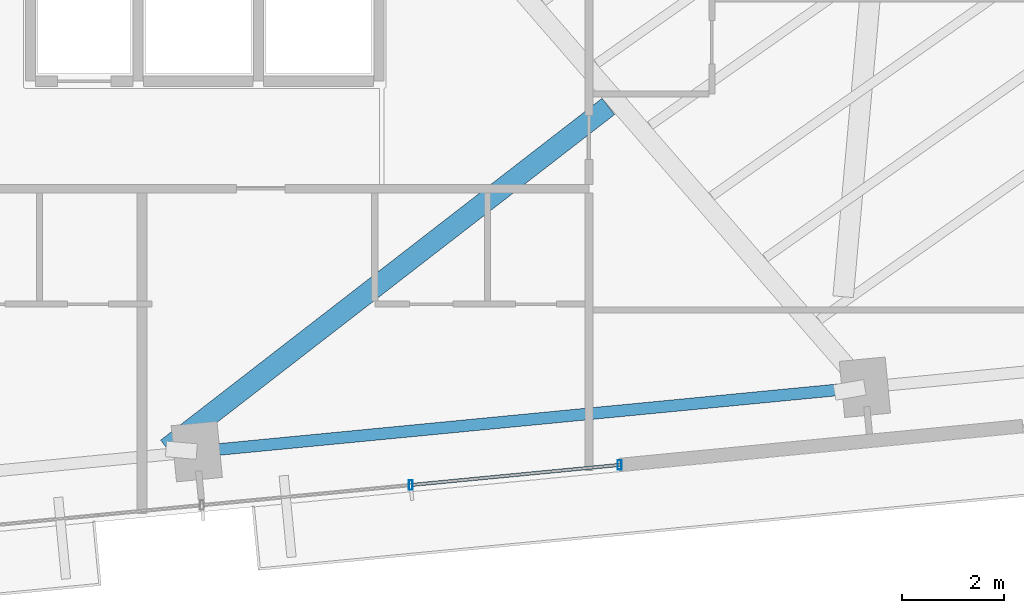
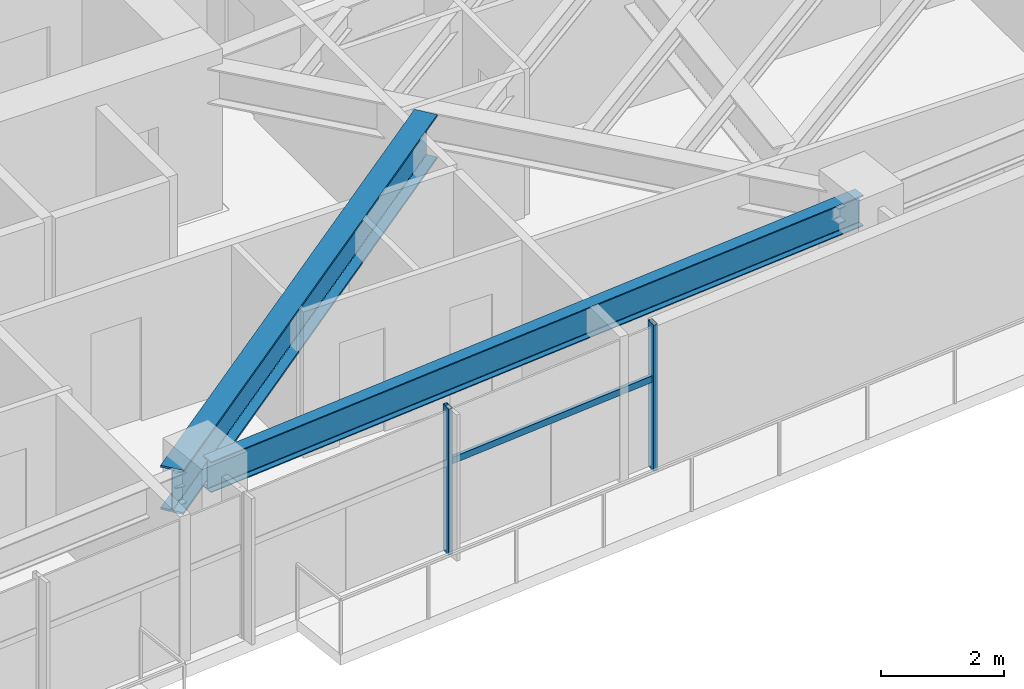
# One storey, part 12 of 27: 3 members, 2 beams, 1 element without a shape of its own.
"""IFC4 building model written with IfcOpenShell, lengths in metres."""

from ifc_helpers import new_model, si_unit, direction, frame, origin, origin_2d, place, context, subcontext, project, spatial, hollow_rectangle, i_section, extrude, source, transform, mapped, material, material_profile, profile_set, type_object, type_shapes, element, aggregate, save


model = new_model("IFC4")

# Units and contexts
model_context = context("Model", 3, precision=1e-05, world=origin(), true_north=direction((0.0, 1.0)))
body_context = subcontext(model_context, "Body", "Model", "MODEL_VIEW")
ifc_project = project(units=[si_unit("LENGTHUNIT", "METRE"), si_unit("AREAUNIT", "SQUARE_METRE"), si_unit("VOLUMEUNIT", "CUBIC_METRE"), si_unit("PLANEANGLEUNIT", "RADIAN"), si_unit("MASSUNIT", "GRAM", prefix="KILO")], contexts=[model_context])

# Site, building, storey
site_placement = place(None, origin())
site = spatial("IfcSite", under=ifc_project, at=site_placement, CompositionType="ELEMENT")
building_placement = place(site_placement, origin())
building = spatial("IfcBuilding", under=site, at=building_placement, Name="Astriad Promenade Condominiums", CompositionType="ELEMENT")
storey_placement = place(building_placement, frame((0.0, 0.0, 116.199951171875)))
storey = spatial("IfcBuildingStorey", under=building, at=storey_placement, Name="L33", CompositionType="ELEMENT", Elevation=116.199951171875)

# Beams
ifc_material_1 = material(Name="Steel ASTM A992 Grade 50", Category="steel")
ifc_material_profile_1 = material_profile(ifc_material_1, i_section(OverallWidth=0.22900390625, OverallDepth=0.612060546875, WebThickness=0.011962890625, FlangeThickness=0.01953125, FilletRadius=0.017822265625, at=origin_2d()), Name="W24X84")
ifc_profile_set_1 = profile_set([ifc_material_profile_1], Name="Steel ASTM A992 Grade 50")
beam_type_1 = type_object("IfcBeamType", Name="STEEL SPANDREL BEAM W24X84", PredefinedType="SPANDREL", material=ifc_profile_set_1)
shared_shape_1 = source(origin(), body_context, "Body", "SweptSolid", [
    extrude(i_section(OverallWidth=0.22900390625, OverallDepth=0.612060546875, WebThickness=0.011962890625, FlangeThickness=0.01953125, FilletRadius=0.017822265625, at=origin_2d()), origin(), (0.0, 0.0, 1.0), 13.02001953125),
])
type_shapes(beam_type_1, [shared_shape_1])
beam_1_placement = place(storey_placement, frame((40.085205078125, 7.5244140625, 2.593994140625), z_axis=(0.995395138946, 0.095856754395, 0.0), x_axis=(-0.095856754395, 0.995395138946, 0.0)))
element("IfcBeam", 1, at=beam_1_placement, inside=storey, type_object=beam_type_1, Name="Perimeter Spandrel Beam SP-S3-L33", PredefinedType="SPANDREL", context=body_context, shape_type="MappedRepresentation", body=[
    mapped(shared_shape_1, transform((0.0, 0.0, 0.0), scale=1.0)),
])
ifc_material_profile_2 = material_profile(ifc_material_1, i_section(OverallWidth=0.4013671875, OverallDepth=0.877197265625, WebThickness=0.022216796875, FlangeThickness=0.039794921875, FilletRadius=0.02294921875, at=origin_2d()), Name="W33X263")
ifc_profile_set_2 = profile_set([ifc_material_profile_2], Name="Steel ASTM A992 Grade 50")
beam_type_2 = type_object("IfcBeamType", Name="STEEL TRANSFER CARRIER GIRDER W33X263", PredefinedType="BEAM", material=ifc_profile_set_2)
shared_shape_2 = source(origin(), body_context, "Body", "SweptSolid", [
    extrude(i_section(OverallWidth=0.4013671875, OverallDepth=0.877197265625, WebThickness=0.022216796875, FlangeThickness=0.039794921875, FilletRadius=0.02294921875, at=origin_2d()), origin(), (0.0, 0.0, 1.0), 10.89697265625),
])
type_shapes(beam_type_2, [shared_shape_2])
beam_2_placement = place(storey_placement, frame((48.077880859375, 14.2568359375, 2.46142578125), z_axis=(-0.790650935133, -0.612267179238, 0.0), x_axis=(0.612267179238, -0.790650935133, 0.0)))
element("IfcBeam", 2, at=beam_2_placement, inside=storey, type_object=beam_type_2, Name="Transfer Splice Carrier TRM-SP-PC03-L33", PredefinedType="BEAM", context=body_context, shape_type="MappedRepresentation", body=[
    mapped(shared_shape_2, transform((0.0, 0.0, 0.0), scale=1.0)),
])

# Curtain wall, members
ifc_material_2 = material(Name="Anodised aluminium Black Dark Glass Unitised", Category="aluminium")
curtain_wall_type = type_object("IfcCurtainWallType", Name="CW-B2-DARK", PredefinedType="USERDEFINED", material=ifc_material_2)
curtain_wall_placement = place(storey_placement, origin())
curtain_wall = element("IfcCurtainWall", 3, at=curtain_wall_placement, inside=storey, type_object=curtain_wall_type, Name="CW-L33-S", ObjectType="UNITISED_CURTAIN_WALL", PredefinedType="USERDEFINED")
ifc_material_3 = material(Name="Anodised aluminium 6063-T6 Black", Category="aluminium")
ifc_material_profile_3 = material_profile(ifc_material_3, hollow_rectangle(XDim=0.06494140625, YDim=0.1298828125, WallThickness=0.00390625, at=origin_2d()), Name="ALU-TRN-65X130")
ifc_profile_set_3 = profile_set([ifc_material_profile_3], Name="Anodised aluminium 6063-T6 Black")
member_type_1 = type_object("IfcMemberType", Name="TRN-ALU-TRN-65X130", PredefinedType="USERDEFINED", material=ifc_profile_set_3)
shared_shape_3 = source(origin(), body_context, "Body", "SweptSolid", [
    extrude(hollow_rectangle(XDim=0.06494140625, YDim=0.1298828125, WallThickness=0.00390625, at=origin_2d()), origin(), (0.0, 0.0, 1.0), 4.094970703125),
])
type_shapes(member_type_1, [shared_shape_3])
member_1_placement = place(storey_placement, frame((48.29833984375, 7.260498046875, 1.798095703125), z_axis=(-0.995394161585, -0.09586690296, 0.0), x_axis=(0.09586690296, -0.995394161585, 0.0)))
member_1 = element("IfcMember", 4, at=member_1_placement, type_object=member_type_1, Name="CW-L33-S-TRN-00-0", ObjectType="TRANSOM", PredefinedType="USERDEFINED", context=body_context, shape_type="MappedRepresentation", body=[
    mapped(shared_shape_3, transform((0.0, 0.0, 0.0), scale=1.0)),
])
ifc_material_profile_4 = material_profile(ifc_material_3, hollow_rectangle(XDim=0.074951171875, YDim=0.18505859375, WallThickness=0.00439453125, at=origin_2d()), Name="ALU-MUL-75X185")
ifc_profile_set_4 = profile_set([ifc_material_profile_4], Name="Anodised aluminium 6063-T6 Black")
member_type_2 = type_object("IfcMemberType", Name="MUL-ALU-MUL-75X185", PredefinedType="MULLION", material=ifc_profile_set_4)
shared_shape_4 = source(origin(), body_context, "Body", "SweptSolid", [
    extrude(hollow_rectangle(XDim=0.074951171875, YDim=0.18505859375, WallThickness=0.00439453125, at=origin_2d()), origin(), (0.0, 0.0, 1.0), 2.900146484375),
])
type_shapes(member_type_2, [shared_shape_4])
member_2_placement = place(storey_placement, frame((48.29833984375, 7.260498046875, 0.0), z_axis=(0.0, 0.0, 1.0), x_axis=(1.0, 0.0, 0.0)))
member_2 = element("IfcMember", 5, at=member_2_placement, type_object=member_type_2, Name="CW-L33-S-MUL-00", PredefinedType="MULLION", context=body_context, shape_type="MappedRepresentation", body=[
    mapped(shared_shape_4, transform((0.0, 0.0, 0.0), scale=1.0)),
])
member_3_placement = place(storey_placement, frame((44.22216796875, 6.867919921875, 0.0), z_axis=(0.0, 0.0, 1.0), x_axis=(1.0, 0.0, 0.0)))
member_3 = element("IfcMember", 6, at=member_3_placement, type_object=member_type_2, Name="CW-L33-S-MUL-01", PredefinedType="MULLION", context=body_context, shape_type="MappedRepresentation", body=[
    mapped(shared_shape_4, transform((0.0, 0.0, 0.0), scale=1.0)),
])
aggregate(curtain_wall, [member_2, member_3, member_1])

save(model, "model.ifc")
